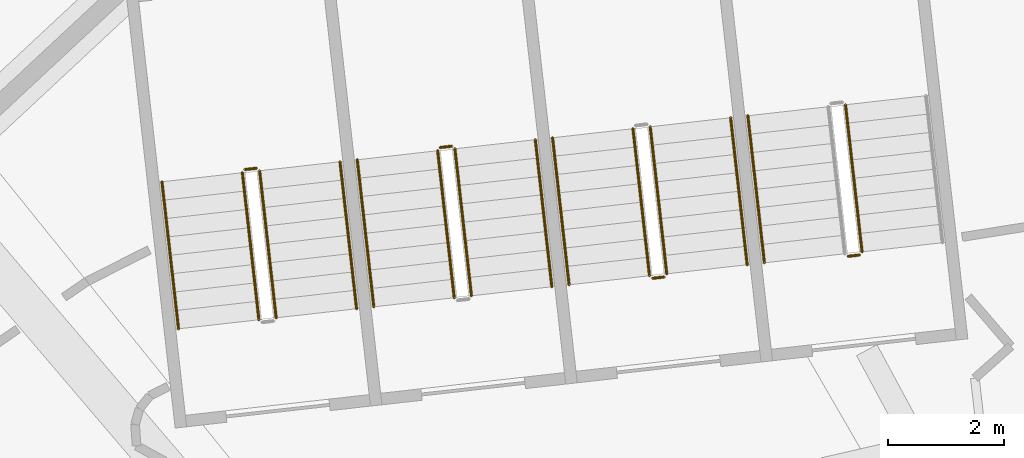
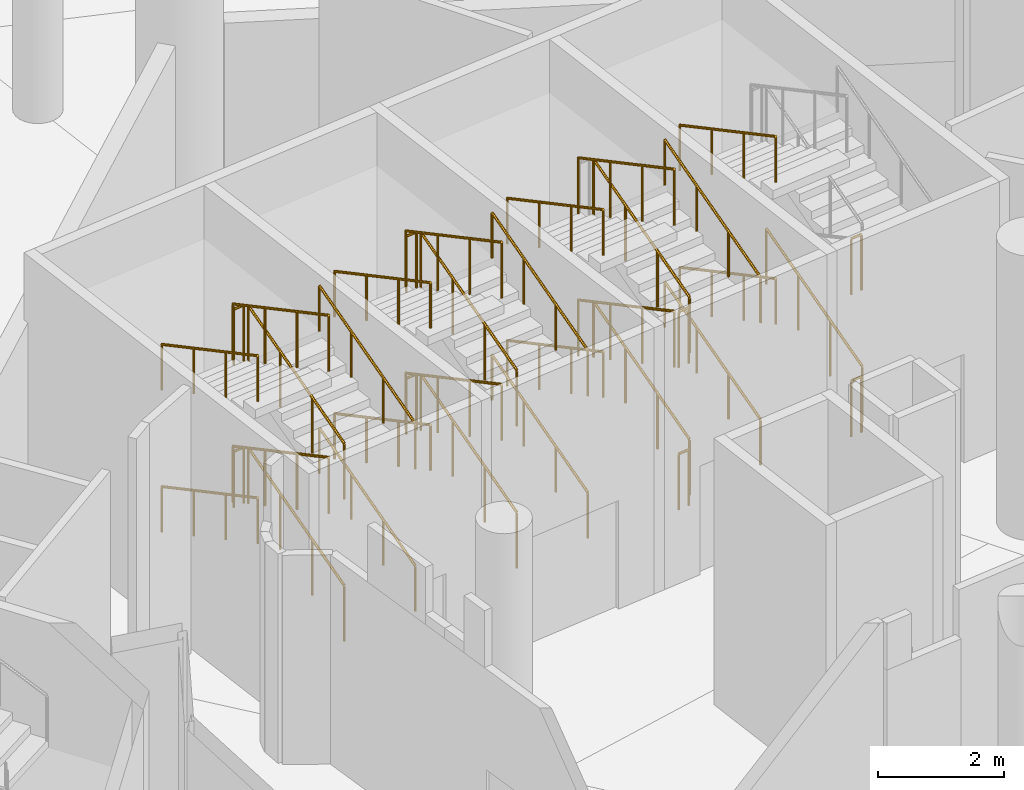
# One storey, part 257 of 271: 35 railings.
"""IFC4 building model written with IfcOpenShell, lengths in metres."""

from ifc_helpers import new_model, si_unit, direction, frame, origin, origin_2d, place, context, subcontext, project, spatial, circle, extrude, material, type_object, element, save


model = new_model("IFC4")

# Units and contexts
model_context = context("Model", 3, precision=1e-05, world=origin(), true_north=direction((0.0, 1.0)))
body_context = subcontext(model_context, "Body", "Model", "MODEL_VIEW")
ifc_project = project(units=[si_unit("LENGTHUNIT", "METRE"), si_unit("AREAUNIT", "SQUARE_METRE"), si_unit("VOLUMEUNIT", "CUBIC_METRE"), si_unit("PLANEANGLEUNIT", "RADIAN"), si_unit("MASSUNIT", "GRAM", prefix="KILO")], contexts=[model_context])

# Site, building, storey
site_placement = place(None, origin())
site = spatial("IfcSite", under=ifc_project, at=site_placement, CompositionType="ELEMENT")
building_placement = place(site_placement, origin())
building = spatial("IfcBuilding", under=site, at=building_placement, Name="Meseta Stadium", CompositionType="ELEMENT")
storey_placement = place(building_placement, frame((0.0, 0.0, 6.5)))
storey = spatial("IfcBuildingStorey", under=building, at=storey_placement, Name="L01", CompositionType="ELEMENT", Elevation=6.5)

# Railings
ifc_material_1 = material(Name="Steel S355", Category="steel")
railing_type_1 = type_object("IfcRailingType", Name="Stair guard 1100", PredefinedType="GUARDRAIL", material=ifc_material_1)
railing_1_placement = place(storey_placement, frame((-45.742919921875, 94.609375, 0.15283203125)))
element("IfcRailing", 1, at=railing_1_placement, inside=storey, type_object=railing_type_1, Name="ST45 L01 guard 1", PredefinedType="GUARDRAIL", context=body_context, shape_type="SweptSolid", body=[
    extrude(circle(Radius=0.02392578125, at=origin_2d()), frame((0.0, 0.0, 1.076171875), z_axis=(-0.101129313555, 0.896737291859, 0.430853909497), x_axis=(-0.993700950062, -0.112064364749, 0.0)), (0.0, 0.0, 1.0), 2.836669921875),
    extrude(circle(Radius=0.02099609375, at=origin_2d()), origin(), (0.0, 0.0, 1.0), 1.052001953125),
    extrude(circle(Radius=0.02099609375, at=origin_2d()), frame((-0.095703125, 0.847900390625, 0.407470703125)), (0.0, 0.0, 1.0), 1.052001953125),
    extrude(circle(Radius=0.02099609375, at=origin_2d()), frame((-0.191162109375, 1.69580078125, 0.814697265625)), (0.0, 0.0, 1.0), 1.052001953125),
    extrude(circle(Radius=0.02099609375, at=origin_2d()), frame((-0.286865234375, 2.543701171875, 1.22216796875)), (0.0, 0.0, 1.0), 1.052001953125),
])
for number, where, name in (
    (2, (-45.787109375, 94.553955078125, 2.75), "ST45 L01 guard 4"),
    (3, (-45.787109375, 94.553955078125, 0.0), "ST45 L01 guard 8"),
):
    element("IfcRailing", number, at=place(storey_placement, frame(where)), inside=storey, type_object=railing_type_1, Name=name, PredefinedType="GUARDRAIL", context=body_context, shape_type="SweptSolid", body=[
        extrude(circle(Radius=0.02392578125, at=origin_2d()), frame((0.0, 0.0, 1.076171875), z_axis=(-0.993673547442, -0.112307083986, 0.0), x_axis=(0.112307083986, -0.993673547442, 0.0)), (0.0, 0.0, 1.0), 0.199951171875),
        extrude(circle(Radius=0.02099609375, at=origin_2d()), origin(), (0.0, 0.0, 1.0), 1.052001953125),
        extrude(circle(Radius=0.02099609375, at=origin_2d()), frame((-0.19873046875, -0.0224609375, 0.0)), (0.0, 0.0, 1.0), 1.052001953125),
    ])
railing_2_placement = place(storey_placement, frame((-49.12158203125, 94.228515625, 0.15283203125)))
element("IfcRailing", 4, at=railing_2_placement, inside=storey, type_object=railing_type_1, Name="ST46 L01 guard 1", PredefinedType="GUARDRAIL", context=body_context, shape_type="SweptSolid", body=[
    extrude(circle(Radius=0.02392578125, at=origin_2d()), frame((0.0, 0.0, 1.076171875), z_axis=(-0.101036326981, 0.896761948158, 0.430824406188), x_axis=(-0.993712761983, -0.111959576062, 0.0)), (0.0, 0.0, 1.0), 2.8369140625),
    extrude(circle(Radius=0.02099609375, at=origin_2d()), origin(), (0.0, 0.0, 1.0), 1.052001953125),
    extrude(circle(Radius=0.02099609375, at=origin_2d()), frame((-0.095458984375, 0.847900390625, 0.407470703125)), (0.0, 0.0, 1.0), 1.052001953125),
    extrude(circle(Radius=0.02099609375, at=origin_2d()), frame((-0.191162109375, 1.696044921875, 0.814697265625)), (0.0, 0.0, 1.0), 1.052001953125),
    extrude(circle(Radius=0.02099609375, at=origin_2d()), frame((-0.28662109375, 2.5439453125, 1.22216796875)), (0.0, 0.0, 1.0), 1.052001953125),
])
railing_3_placement = place(storey_placement, frame((-49.706298828125, 96.739013671875, 1.52783203125)))
element("IfcRailing", 5, at=railing_3_placement, inside=storey, type_object=railing_type_1, Name="ST46 L01 guard 3", PredefinedType="GUARDRAIL", context=body_context, shape_type="SweptSolid", body=[
    extrude(circle(Radius=0.02392578125, at=origin_2d()), frame((0.0, 0.0, 1.076171875), z_axis=(0.101036326981, -0.896761948158, 0.430824406188), x_axis=(0.993712761983, 0.111959576062, 0.0)), (0.0, 0.0, 1.0), 2.8369140625),
    extrude(circle(Radius=0.02099609375, at=origin_2d()), origin(), (0.0, 0.0, 1.0), 1.052001953125),
    extrude(circle(Radius=0.02099609375, at=origin_2d()), frame((0.095458984375, -0.847900390625, 0.407470703125)), (0.0, 0.0, 1.0), 1.052001953125),
    extrude(circle(Radius=0.02099609375, at=origin_2d()), frame((0.191162109375, -1.696044921875, 0.814697265625)), (0.0, 0.0, 1.0), 1.052001953125),
    extrude(circle(Radius=0.02099609375, at=origin_2d()), frame((0.28662109375, -2.5439453125, 1.22216796875)), (0.0, 0.0, 1.0), 1.052001953125),
])
railing_4_placement = place(storey_placement, frame((-49.165771484375, 94.17333984375, 2.75)))
element("IfcRailing", 6, at=railing_4_placement, inside=storey, type_object=railing_type_1, Name="ST46 L01 guard 4", PredefinedType="GUARDRAIL", context=body_context, shape_type="SweptSolid", body=[
    extrude(circle(Radius=0.02392578125, at=origin_2d()), frame((0.0, 0.0, 1.076171875), z_axis=(-0.993673547442, -0.112307083986, 0.0), x_axis=(0.112307083986, -0.993673547442, 0.0)), (0.0, 0.0, 1.0), 0.199951171875),
    extrude(circle(Radius=0.02099609375, at=origin_2d()), origin(), (0.0, 0.0, 1.0), 1.052001953125),
    extrude(circle(Radius=0.02099609375, at=origin_2d()), frame((-0.19873046875, -0.0224609375, 0.0)), (0.0, 0.0, 1.0), 1.052001953125),
])
railing_5_placement = place(storey_placement, frame((-49.12158203125, 94.228515625, 2.90283203125)))
element("IfcRailing", 7, at=railing_5_placement, inside=storey, type_object=railing_type_1, Name="ST46 L01 guard 5", PredefinedType="GUARDRAIL", context=body_context, shape_type="SweptSolid", body=[
    extrude(circle(Radius=0.02392578125, at=origin_2d()), frame((0.0, 0.0, 1.076171875), z_axis=(-0.101036326981, 0.896761948158, 0.430824406188), x_axis=(-0.993712761983, -0.111959576062, 0.0)), (0.0, 0.0, 1.0), 2.8369140625),
    extrude(circle(Radius=0.02099609375, at=origin_2d()), origin(), (0.0, 0.0, 1.0), 1.052001953125),
    extrude(circle(Radius=0.02099609375, at=origin_2d()), frame((-0.095458984375, 0.847900390625, 0.407470703125)), (0.0, 0.0, 1.0), 1.052001953125),
    extrude(circle(Radius=0.02099609375, at=origin_2d()), frame((-0.191162109375, 1.696044921875, 0.814697265625)), (0.0, 0.0, 1.0), 1.052001953125),
    extrude(circle(Radius=0.02099609375, at=origin_2d()), frame((-0.28662109375, 2.5439453125, 1.22216796875)), (0.0, 0.0, 1.0), 1.052001953125),
])
railing_6_placement = place(storey_placement, frame((-49.706298828125, 96.739013671875, 4.27783203125)))
element("IfcRailing", 8, at=railing_6_placement, inside=storey, type_object=railing_type_1, Name="ST46 L01 guard 7", PredefinedType="GUARDRAIL", context=body_context, shape_type="SweptSolid", body=[
    extrude(circle(Radius=0.02392578125, at=origin_2d()), frame((0.0, 0.0, 1.076171875), z_axis=(0.101036326981, -0.896761948158, 0.430824406188), x_axis=(0.993712761983, 0.111959576062, 0.0)), (0.0, 0.0, 1.0), 2.8369140625),
    extrude(circle(Radius=0.02099609375, at=origin_2d()), origin(), (0.0, 0.0, 1.0), 1.052001953125),
    extrude(circle(Radius=0.02099609375, at=origin_2d()), frame((0.095458984375, -0.847900390625, 0.407470703125)), (0.0, 0.0, 1.0), 1.052001953125),
    extrude(circle(Radius=0.02099609375, at=origin_2d()), frame((0.191162109375, -1.696044921875, 0.814697265625)), (0.0, 0.0, 1.0), 1.052001953125),
    extrude(circle(Radius=0.02099609375, at=origin_2d()), frame((0.28662109375, -2.5439453125, 1.22216796875)), (0.0, 0.0, 1.0), 1.052001953125),
])
railing_7_placement = place(storey_placement, frame((-49.165771484375, 94.17333984375, 0.0)))
element("IfcRailing", 9, at=railing_7_placement, inside=storey, type_object=railing_type_1, Name="ST46 L01 guard 8", PredefinedType="GUARDRAIL", context=body_context, shape_type="SweptSolid", body=[
    extrude(circle(Radius=0.02392578125, at=origin_2d()), frame((0.0, 0.0, 1.076171875), z_axis=(-0.993673547442, -0.112307083986, 0.0), x_axis=(0.112307083986, -0.993673547442, 0.0)), (0.0, 0.0, 1.0), 0.199951171875),
    extrude(circle(Radius=0.02099609375, at=origin_2d()), origin(), (0.0, 0.0, 1.0), 1.052001953125),
    extrude(circle(Radius=0.02099609375, at=origin_2d()), frame((-0.19873046875, -0.0224609375, 0.0)), (0.0, 0.0, 1.0), 1.052001953125),
])
railing_8_placement = place(storey_placement, frame((-52.500244140625, 93.847900390625, 0.15283203125)))
element("IfcRailing", 10, at=railing_8_placement, inside=storey, type_object=railing_type_1, Name="ST47 L01 guard 1", PredefinedType="GUARDRAIL", context=body_context, shape_type="SweptSolid", body=[
    extrude(circle(Radius=0.02392578125, at=origin_2d()), frame((0.0, 0.0, 1.076171875), z_axis=(-0.101036326981, 0.896761948158, 0.430824406188), x_axis=(-0.993712761983, -0.111959576062, 0.0)), (0.0, 0.0, 1.0), 2.8369140625),
    extrude(circle(Radius=0.02099609375, at=origin_2d()), origin(), (0.0, 0.0, 1.0), 1.052001953125),
    extrude(circle(Radius=0.02099609375, at=origin_2d()), frame((-0.095458984375, 0.847900390625, 0.407470703125)), (0.0, 0.0, 1.0), 1.052001953125),
    extrude(circle(Radius=0.02099609375, at=origin_2d()), frame((-0.191162109375, 1.696044921875, 0.814697265625)), (0.0, 0.0, 1.0), 1.052001953125),
    extrude(circle(Radius=0.02099609375, at=origin_2d()), frame((-0.28662109375, 2.5439453125, 1.22216796875)), (0.0, 0.0, 1.0), 1.052001953125),
])
railing_9_placement = place(storey_placement, frame((-52.84228515625, 96.435791015625, 1.375)))
element("IfcRailing", 11, at=railing_9_placement, inside=storey, type_object=railing_type_1, Name="ST47 L01 guard 2", PredefinedType="GUARDRAIL", context=body_context, shape_type="SweptSolid", body=[
    extrude(circle(Radius=0.02392578125, at=origin_2d()), frame((0.0, 0.0, 1.076171875), z_axis=(-0.993809063983, -0.111101504696, 0.0), x_axis=(0.111101504696, -0.993809063983, 0.0)), (0.0, 0.0, 1.0), 0.199951171875),
    extrude(circle(Radius=0.02099609375, at=origin_2d()), origin(), (0.0, 0.0, 1.0), 1.052001953125),
    extrude(circle(Radius=0.02099609375, at=origin_2d()), frame((-0.19873046875, -0.022216796875, 0.0)), (0.0, 0.0, 1.0), 1.052001953125),
])
railing_10_placement = place(storey_placement, frame((-53.0849609375, 96.358154296875, 1.52783203125)))
element("IfcRailing", 12, at=railing_10_placement, inside=storey, type_object=railing_type_1, Name="ST47 L01 guard 3", PredefinedType="GUARDRAIL", context=body_context, shape_type="SweptSolid", body=[
    extrude(circle(Radius=0.02392578125, at=origin_2d()), frame((0.0, 0.0, 1.076171875), z_axis=(0.101036326981, -0.896761948158, 0.430824406188), x_axis=(0.993712761983, 0.111959576062, 0.0)), (0.0, 0.0, 1.0), 2.8369140625),
    extrude(circle(Radius=0.02099609375, at=origin_2d()), origin(), (0.0, 0.0, 1.0), 1.052001953125),
    extrude(circle(Radius=0.02099609375, at=origin_2d()), frame((0.095458984375, -0.847900390625, 0.407470703125)), (0.0, 0.0, 1.0), 1.052001953125),
    extrude(circle(Radius=0.02099609375, at=origin_2d()), frame((0.191162109375, -1.696044921875, 0.814697265625)), (0.0, 0.0, 1.0), 1.052001953125),
    extrude(circle(Radius=0.02099609375, at=origin_2d()), frame((0.28662109375, -2.5439453125, 1.22216796875)), (0.0, 0.0, 1.0), 1.052001953125),
])
railing_11_placement = place(storey_placement, frame((-52.500244140625, 93.847900390625, 2.90283203125)))
element("IfcRailing", 13, at=railing_11_placement, inside=storey, type_object=railing_type_1, Name="ST47 L01 guard 5", PredefinedType="GUARDRAIL", context=body_context, shape_type="SweptSolid", body=[
    extrude(circle(Radius=0.02392578125, at=origin_2d()), frame((0.0, 0.0, 1.076171875), z_axis=(-0.101036326981, 0.896761948158, 0.430824406188), x_axis=(-0.993712761983, -0.111959576062, 0.0)), (0.0, 0.0, 1.0), 2.8369140625),
    extrude(circle(Radius=0.02099609375, at=origin_2d()), origin(), (0.0, 0.0, 1.0), 1.052001953125),
    extrude(circle(Radius=0.02099609375, at=origin_2d()), frame((-0.095458984375, 0.847900390625, 0.407470703125)), (0.0, 0.0, 1.0), 1.052001953125),
    extrude(circle(Radius=0.02099609375, at=origin_2d()), frame((-0.191162109375, 1.696044921875, 0.814697265625)), (0.0, 0.0, 1.0), 1.052001953125),
    extrude(circle(Radius=0.02099609375, at=origin_2d()), frame((-0.28662109375, 2.5439453125, 1.22216796875)), (0.0, 0.0, 1.0), 1.052001953125),
])
railing_12_placement = place(storey_placement, frame((-52.84228515625, 96.435791015625, 4.125)))
element("IfcRailing", 14, at=railing_12_placement, inside=storey, type_object=railing_type_1, Name="ST47 L01 guard 6", PredefinedType="GUARDRAIL", context=body_context, shape_type="SweptSolid", body=[
    extrude(circle(Radius=0.02392578125, at=origin_2d()), frame((0.0, 0.0, 1.076171875), z_axis=(-0.993809063983, -0.111101504696, 0.0), x_axis=(0.111101504696, -0.993809063983, 0.0)), (0.0, 0.0, 1.0), 0.199951171875),
    extrude(circle(Radius=0.02099609375, at=origin_2d()), origin(), (0.0, 0.0, 1.0), 1.052001953125),
    extrude(circle(Radius=0.02099609375, at=origin_2d()), frame((-0.19873046875, -0.022216796875, 0.0)), (0.0, 0.0, 1.0), 1.052001953125),
])
railing_13_placement = place(storey_placement, frame((-53.0849609375, 96.358154296875, 4.27783203125)))
element("IfcRailing", 15, at=railing_13_placement, inside=storey, type_object=railing_type_1, Name="ST47 L01 guard 7", PredefinedType="GUARDRAIL", context=body_context, shape_type="SweptSolid", body=[
    extrude(circle(Radius=0.02392578125, at=origin_2d()), frame((0.0, 0.0, 1.076171875), z_axis=(0.101036326981, -0.896761948158, 0.430824406188), x_axis=(0.993712761983, 0.111959576062, 0.0)), (0.0, 0.0, 1.0), 2.8369140625),
    extrude(circle(Radius=0.02099609375, at=origin_2d()), origin(), (0.0, 0.0, 1.0), 1.052001953125),
    extrude(circle(Radius=0.02099609375, at=origin_2d()), frame((0.095458984375, -0.847900390625, 0.407470703125)), (0.0, 0.0, 1.0), 1.052001953125),
    extrude(circle(Radius=0.02099609375, at=origin_2d()), frame((0.191162109375, -1.696044921875, 0.814697265625)), (0.0, 0.0, 1.0), 1.052001953125),
    extrude(circle(Radius=0.02099609375, at=origin_2d()), frame((0.28662109375, -2.5439453125, 1.22216796875)), (0.0, 0.0, 1.0), 1.052001953125),
])
railing_14_placement = place(storey_placement, frame((-55.87890625, 93.46728515625, 0.15283203125)))
element("IfcRailing", 16, at=railing_14_placement, inside=storey, type_object=railing_type_1, Name="ST48 L01 guard 1", PredefinedType="GUARDRAIL", context=body_context, shape_type="SweptSolid", body=[
    extrude(circle(Radius=0.02392578125, at=origin_2d()), frame((0.0, 0.0, 1.076171875), z_axis=(-0.101036326981, 0.896761948158, 0.430824406188), x_axis=(-0.993712761983, -0.111959576062, 0.0)), (0.0, 0.0, 1.0), 2.8369140625),
    extrude(circle(Radius=0.02099609375, at=origin_2d()), origin(), (0.0, 0.0, 1.0), 1.052001953125),
    extrude(circle(Radius=0.02099609375, at=origin_2d()), frame((-0.095458984375, 0.847900390625, 0.407470703125)), (0.0, 0.0, 1.0), 1.052001953125),
    extrude(circle(Radius=0.02099609375, at=origin_2d()), frame((-0.191162109375, 1.696044921875, 0.814697265625)), (0.0, 0.0, 1.0), 1.052001953125),
    extrude(circle(Radius=0.02099609375, at=origin_2d()), frame((-0.28662109375, 2.5439453125, 1.22216796875)), (0.0, 0.0, 1.0), 1.052001953125),
])
railing_15_placement = place(storey_placement, frame((-56.220703125, 96.05517578125, 1.375)))
element("IfcRailing", 17, at=railing_15_placement, inside=storey, type_object=railing_type_1, Name="ST48 L01 guard 2", PredefinedType="GUARDRAIL", context=body_context, shape_type="SweptSolid", body=[
    extrude(circle(Radius=0.02392578125, at=origin_2d()), frame((0.0, 0.0, 1.076171875), z_axis=(-0.993688916384, -0.112171018782, 0.0), x_axis=(0.112171018782, -0.993688916384, 0.0)), (0.0, 0.0, 1.0), 0.2001953125),
    extrude(circle(Radius=0.02099609375, at=origin_2d()), origin(), (0.0, 0.0, 1.0), 1.052001953125),
    extrude(circle(Radius=0.02099609375, at=origin_2d()), frame((-0.198974609375, -0.0224609375, 0.0)), (0.0, 0.0, 1.0), 1.052001953125),
])
railing_16_placement = place(storey_placement, frame((-56.463623046875, 95.9775390625, 1.52783203125)))
element("IfcRailing", 18, at=railing_16_placement, inside=storey, type_object=railing_type_1, Name="ST48 L01 guard 3", PredefinedType="GUARDRAIL", context=body_context, shape_type="SweptSolid", body=[
    extrude(circle(Radius=0.02392578125, at=origin_2d()), frame((0.0, 0.0, 1.076171875), z_axis=(0.101036326981, -0.896761948158, 0.430824406188), x_axis=(0.993712761983, 0.111959576062, 0.0)), (0.0, 0.0, 1.0), 2.8369140625),
    extrude(circle(Radius=0.02099609375, at=origin_2d()), origin(), (0.0, 0.0, 1.0), 1.052001953125),
    extrude(circle(Radius=0.02099609375, at=origin_2d()), frame((0.095458984375, -0.847900390625, 0.407470703125)), (0.0, 0.0, 1.0), 1.052001953125),
    extrude(circle(Radius=0.02099609375, at=origin_2d()), frame((0.191162109375, -1.696044921875, 0.814697265625)), (0.0, 0.0, 1.0), 1.052001953125),
    extrude(circle(Radius=0.02099609375, at=origin_2d()), frame((0.28662109375, -2.5439453125, 1.22216796875)), (0.0, 0.0, 1.0), 1.052001953125),
])
railing_17_placement = place(storey_placement, frame((-55.87890625, 93.46728515625, 2.90283203125)))
element("IfcRailing", 19, at=railing_17_placement, inside=storey, type_object=railing_type_1, Name="ST48 L01 guard 5", PredefinedType="GUARDRAIL", context=body_context, shape_type="SweptSolid", body=[
    extrude(circle(Radius=0.02392578125, at=origin_2d()), frame((0.0, 0.0, 1.076171875), z_axis=(-0.101036326981, 0.896761948158, 0.430824406188), x_axis=(-0.993712761983, -0.111959576062, 0.0)), (0.0, 0.0, 1.0), 2.8369140625),
    extrude(circle(Radius=0.02099609375, at=origin_2d()), origin(), (0.0, 0.0, 1.0), 1.052001953125),
    extrude(circle(Radius=0.02099609375, at=origin_2d()), frame((-0.095458984375, 0.847900390625, 0.407470703125)), (0.0, 0.0, 1.0), 1.052001953125),
    extrude(circle(Radius=0.02099609375, at=origin_2d()), frame((-0.191162109375, 1.696044921875, 0.814697265625)), (0.0, 0.0, 1.0), 1.052001953125),
    extrude(circle(Radius=0.02099609375, at=origin_2d()), frame((-0.28662109375, 2.5439453125, 1.22216796875)), (0.0, 0.0, 1.0), 1.052001953125),
])
railing_18_placement = place(storey_placement, frame((-56.220703125, 96.05517578125, 4.125)))
element("IfcRailing", 20, at=railing_18_placement, inside=storey, type_object=railing_type_1, Name="ST48 L01 guard 6", PredefinedType="GUARDRAIL", context=body_context, shape_type="SweptSolid", body=[
    extrude(circle(Radius=0.02392578125, at=origin_2d()), frame((0.0, 0.0, 1.076171875), z_axis=(-0.993688916384, -0.112171018782, 0.0), x_axis=(0.112171018782, -0.993688916384, 0.0)), (0.0, 0.0, 1.0), 0.2001953125),
    extrude(circle(Radius=0.02099609375, at=origin_2d()), origin(), (0.0, 0.0, 1.0), 1.052001953125),
    extrude(circle(Radius=0.02099609375, at=origin_2d()), frame((-0.198974609375, -0.0224609375, 0.0)), (0.0, 0.0, 1.0), 1.052001953125),
])
railing_19_placement = place(storey_placement, frame((-56.463623046875, 95.9775390625, 4.27783203125)))
element("IfcRailing", 21, at=railing_19_placement, inside=storey, type_object=railing_type_1, Name="ST48 L01 guard 7", PredefinedType="GUARDRAIL", context=body_context, shape_type="SweptSolid", body=[
    extrude(circle(Radius=0.02392578125, at=origin_2d()), frame((0.0, 0.0, 1.076171875), z_axis=(0.101036326981, -0.896761948158, 0.430824406188), x_axis=(0.993712761983, 0.111959576062, 0.0)), (0.0, 0.0, 1.0), 2.8369140625),
    extrude(circle(Radius=0.02099609375, at=origin_2d()), origin(), (0.0, 0.0, 1.0), 1.052001953125),
    extrude(circle(Radius=0.02099609375, at=origin_2d()), frame((0.095458984375, -0.847900390625, 0.407470703125)), (0.0, 0.0, 1.0), 1.052001953125),
    extrude(circle(Radius=0.02099609375, at=origin_2d()), frame((0.191162109375, -1.696044921875, 0.814697265625)), (0.0, 0.0, 1.0), 1.052001953125),
    extrude(circle(Radius=0.02099609375, at=origin_2d()), frame((0.28662109375, -2.5439453125, 1.22216796875)), (0.0, 0.0, 1.0), 1.052001953125),
])
ifc_material_2 = material(Name="Steel S355", Category="steel")
railing_type_2 = type_object("IfcRailingType", Name="Stair handrail 900", PredefinedType="HANDRAIL", material=ifc_material_2)
for number, where, name in (
    (22, (-47.718994140625, 96.962890625, 1.52783203125), "ST45 L01 handrail 2"),
    (23, (-47.718994140625, 96.962890625, 4.27783203125), "ST45 L01 handrail 4"),
):
    element("IfcRailing", number, at=place(storey_placement, frame(where)), inside=storey, type_object=railing_type_2, Name=name, PredefinedType="HANDRAIL", context=body_context, shape_type="SweptSolid", body=[
        extrude(circle(Radius=0.02392578125, at=origin_2d()), frame((0.0, 0.0, 0.8759765625), z_axis=(0.101036326981, -0.896761948158, 0.430824406188), x_axis=(0.993712761983, 0.111959576062, 0.0)), (0.0, 0.0, 1.0), 2.8369140625),
        extrude(circle(Radius=0.02099609375, at=origin_2d()), origin(), (0.0, 0.0, 1.0), 0.851806640625),
        extrude(circle(Radius=0.02099609375, at=origin_2d()), frame((0.095458984375, -0.847900390625, 0.407470703125)), (0.0, 0.0, 1.0), 0.851806640625),
        extrude(circle(Radius=0.02099609375, at=origin_2d()), frame((0.191162109375, -1.696044921875, 0.814697265625)), (0.0, 0.0, 1.0), 0.851806640625),
        extrude(circle(Radius=0.02099609375, at=origin_2d()), frame((0.28662109375, -2.5439453125, 1.22216796875)), (0.0, 0.0, 1.0), 0.851806640625),
    ])
railing_20_placement = place(storey_placement, frame((-47.73046875, 94.38525390625, 0.15283203125)))
element("IfcRailing", 24, at=railing_20_placement, inside=storey, type_object=railing_type_2, Name="ST46 L01 handrail 1", PredefinedType="HANDRAIL", context=body_context, shape_type="SweptSolid", body=[
    extrude(circle(Radius=0.02392578125, at=origin_2d()), frame((0.0, 0.0, 0.8759765625), z_axis=(-0.101036326981, 0.896761948158, 0.430824406188), x_axis=(-0.993712761983, -0.111959576062, 0.0)), (0.0, 0.0, 1.0), 2.8369140625),
    extrude(circle(Radius=0.02099609375, at=origin_2d()), origin(), (0.0, 0.0, 1.0), 0.851806640625),
    extrude(circle(Radius=0.02099609375, at=origin_2d()), frame((-0.095458984375, 0.847900390625, 0.407470703125)), (0.0, 0.0, 1.0), 0.851806640625),
    extrude(circle(Radius=0.02099609375, at=origin_2d()), frame((-0.191162109375, 1.696044921875, 0.814697265625)), (0.0, 0.0, 1.0), 0.851806640625),
    extrude(circle(Radius=0.02099609375, at=origin_2d()), frame((-0.28662109375, 2.5439453125, 1.22216796875)), (0.0, 0.0, 1.0), 0.851806640625),
])
railing_21_placement = place(storey_placement, frame((-51.09765625, 96.58203125, 1.52783203125)))
element("IfcRailing", 25, at=railing_21_placement, inside=storey, type_object=railing_type_2, Name="ST46 L01 handrail 2", PredefinedType="HANDRAIL", context=body_context, shape_type="SweptSolid", body=[
    extrude(circle(Radius=0.02392578125, at=origin_2d()), frame((0.0, 0.0, 0.8759765625), z_axis=(0.101044125167, -0.896745093794, 0.43085765808), x_axis=(0.993711566407, 0.111970187058, 0.0)), (0.0, 0.0, 1.0), 2.836669921875),
    extrude(circle(Radius=0.02099609375, at=origin_2d()), origin(), (0.0, 0.0, 1.0), 0.851806640625),
    extrude(circle(Radius=0.02099609375, at=origin_2d()), frame((0.095458984375, -0.847900390625, 0.407470703125)), (0.0, 0.0, 1.0), 0.851806640625),
    extrude(circle(Radius=0.02099609375, at=origin_2d()), frame((0.191162109375, -1.69580078125, 0.814697265625)), (0.0, 0.0, 1.0), 0.851806640625),
    extrude(circle(Radius=0.02099609375, at=origin_2d()), frame((0.28662109375, -2.543701171875, 1.22216796875)), (0.0, 0.0, 1.0), 0.851806640625),
])
railing_22_placement = place(storey_placement, frame((-47.73046875, 94.38525390625, 2.90283203125)))
element("IfcRailing", 26, at=railing_22_placement, inside=storey, type_object=railing_type_2, Name="ST46 L01 handrail 3", PredefinedType="HANDRAIL", context=body_context, shape_type="SweptSolid", body=[
    extrude(circle(Radius=0.02392578125, at=origin_2d()), frame((0.0, 0.0, 0.8759765625), z_axis=(-0.101036326981, 0.896761948158, 0.430824406188), x_axis=(-0.993712761983, -0.111959576062, 0.0)), (0.0, 0.0, 1.0), 2.8369140625),
    extrude(circle(Radius=0.02099609375, at=origin_2d()), origin(), (0.0, 0.0, 1.0), 0.851806640625),
    extrude(circle(Radius=0.02099609375, at=origin_2d()), frame((-0.095458984375, 0.847900390625, 0.407470703125)), (0.0, 0.0, 1.0), 0.851806640625),
    extrude(circle(Radius=0.02099609375, at=origin_2d()), frame((-0.191162109375, 1.696044921875, 0.814697265625)), (0.0, 0.0, 1.0), 0.851806640625),
    extrude(circle(Radius=0.02099609375, at=origin_2d()), frame((-0.28662109375, 2.5439453125, 1.22216796875)), (0.0, 0.0, 1.0), 0.851806640625),
])
railing_23_placement = place(storey_placement, frame((-51.09765625, 96.58203125, 4.27783203125)))
element("IfcRailing", 27, at=railing_23_placement, inside=storey, type_object=railing_type_2, Name="ST46 L01 handrail 4", PredefinedType="HANDRAIL", context=body_context, shape_type="SweptSolid", body=[
    extrude(circle(Radius=0.02392578125, at=origin_2d()), frame((0.0, 0.0, 0.8759765625), z_axis=(0.101044125167, -0.896745093794, 0.43085765808), x_axis=(0.993711566407, 0.111970187058, 0.0)), (0.0, 0.0, 1.0), 2.836669921875),
    extrude(circle(Radius=0.02099609375, at=origin_2d()), origin(), (0.0, 0.0, 1.0), 0.851806640625),
    extrude(circle(Radius=0.02099609375, at=origin_2d()), frame((0.095458984375, -0.847900390625, 0.407470703125)), (0.0, 0.0, 1.0), 0.851806640625),
    extrude(circle(Radius=0.02099609375, at=origin_2d()), frame((0.191162109375, -1.69580078125, 0.814697265625)), (0.0, 0.0, 1.0), 0.851806640625),
    extrude(circle(Radius=0.02099609375, at=origin_2d()), frame((0.28662109375, -2.543701171875, 1.22216796875)), (0.0, 0.0, 1.0), 0.851806640625),
])
railing_24_placement = place(storey_placement, frame((-51.109130859375, 94.004638671875, 0.15283203125)))
element("IfcRailing", 28, at=railing_24_placement, inside=storey, type_object=railing_type_2, Name="ST47 L01 handrail 1", PredefinedType="HANDRAIL", context=body_context, shape_type="SweptSolid", body=[
    extrude(circle(Radius=0.02392578125, at=origin_2d()), frame((0.0, 0.0, 0.8759765625), z_axis=(-0.101036326981, 0.896761948158, 0.430824406188), x_axis=(-0.993712761983, -0.111959576062, 0.0)), (0.0, 0.0, 1.0), 2.8369140625),
    extrude(circle(Radius=0.02099609375, at=origin_2d()), origin(), (0.0, 0.0, 1.0), 0.851806640625),
    extrude(circle(Radius=0.02099609375, at=origin_2d()), frame((-0.095458984375, 0.847900390625, 0.407470703125)), (0.0, 0.0, 1.0), 0.851806640625),
    extrude(circle(Radius=0.02099609375, at=origin_2d()), frame((-0.191162109375, 1.696044921875, 0.814697265625)), (0.0, 0.0, 1.0), 0.851806640625),
    extrude(circle(Radius=0.02099609375, at=origin_2d()), frame((-0.28662109375, 2.5439453125, 1.22216796875)), (0.0, 0.0, 1.0), 0.851806640625),
])
railing_25_placement = place(storey_placement, frame((-54.476318359375, 96.201416015625, 1.52783203125)))
element("IfcRailing", 29, at=railing_25_placement, inside=storey, type_object=railing_type_2, Name="ST47 L01 handrail 2", PredefinedType="HANDRAIL", context=body_context, shape_type="SweptSolid", body=[
    extrude(circle(Radius=0.02392578125, at=origin_2d()), frame((0.0, 0.0, 0.8759765625), z_axis=(0.101036326981, -0.896761948158, 0.430824406188), x_axis=(0.993712761983, 0.111959576062, 0.0)), (0.0, 0.0, 1.0), 2.8369140625),
    extrude(circle(Radius=0.02099609375, at=origin_2d()), origin(), (0.0, 0.0, 1.0), 0.851806640625),
    extrude(circle(Radius=0.02099609375, at=origin_2d()), frame((0.095458984375, -0.847900390625, 0.407470703125)), (0.0, 0.0, 1.0), 0.851806640625),
    extrude(circle(Radius=0.02099609375, at=origin_2d()), frame((0.191162109375, -1.696044921875, 0.814697265625)), (0.0, 0.0, 1.0), 0.851806640625),
    extrude(circle(Radius=0.02099609375, at=origin_2d()), frame((0.28662109375, -2.5439453125, 1.22216796875)), (0.0, 0.0, 1.0), 0.851806640625),
])
railing_26_placement = place(storey_placement, frame((-51.109130859375, 94.004638671875, 2.90283203125)))
element("IfcRailing", 30, at=railing_26_placement, inside=storey, type_object=railing_type_2, Name="ST47 L01 handrail 3", PredefinedType="HANDRAIL", context=body_context, shape_type="SweptSolid", body=[
    extrude(circle(Radius=0.02392578125, at=origin_2d()), frame((0.0, 0.0, 0.8759765625), z_axis=(-0.101036326981, 0.896761948158, 0.430824406188), x_axis=(-0.993712761983, -0.111959576062, 0.0)), (0.0, 0.0, 1.0), 2.8369140625),
    extrude(circle(Radius=0.02099609375, at=origin_2d()), origin(), (0.0, 0.0, 1.0), 0.851806640625),
    extrude(circle(Radius=0.02099609375, at=origin_2d()), frame((-0.095458984375, 0.847900390625, 0.407470703125)), (0.0, 0.0, 1.0), 0.851806640625),
    extrude(circle(Radius=0.02099609375, at=origin_2d()), frame((-0.191162109375, 1.696044921875, 0.814697265625)), (0.0, 0.0, 1.0), 0.851806640625),
    extrude(circle(Radius=0.02099609375, at=origin_2d()), frame((-0.28662109375, 2.5439453125, 1.22216796875)), (0.0, 0.0, 1.0), 0.851806640625),
])
railing_27_placement = place(storey_placement, frame((-54.476318359375, 96.201416015625, 4.27783203125)))
element("IfcRailing", 31, at=railing_27_placement, inside=storey, type_object=railing_type_2, Name="ST47 L01 handrail 4", PredefinedType="HANDRAIL", context=body_context, shape_type="SweptSolid", body=[
    extrude(circle(Radius=0.02392578125, at=origin_2d()), frame((0.0, 0.0, 0.8759765625), z_axis=(0.101036326981, -0.896761948158, 0.430824406188), x_axis=(0.993712761983, 0.111959576062, 0.0)), (0.0, 0.0, 1.0), 2.8369140625),
    extrude(circle(Radius=0.02099609375, at=origin_2d()), origin(), (0.0, 0.0, 1.0), 0.851806640625),
    extrude(circle(Radius=0.02099609375, at=origin_2d()), frame((0.095458984375, -0.847900390625, 0.407470703125)), (0.0, 0.0, 1.0), 0.851806640625),
    extrude(circle(Radius=0.02099609375, at=origin_2d()), frame((0.191162109375, -1.696044921875, 0.814697265625)), (0.0, 0.0, 1.0), 0.851806640625),
    extrude(circle(Radius=0.02099609375, at=origin_2d()), frame((0.28662109375, -2.5439453125, 1.22216796875)), (0.0, 0.0, 1.0), 0.851806640625),
])
railing_28_placement = place(storey_placement, frame((-54.48779296875, 93.6240234375, 0.15283203125)))
element("IfcRailing", 32, at=railing_28_placement, inside=storey, type_object=railing_type_2, Name="ST48 L01 handrail 1", PredefinedType="HANDRAIL", context=body_context, shape_type="SweptSolid", body=[
    extrude(circle(Radius=0.02392578125, at=origin_2d()), frame((0.0, 0.0, 0.8759765625), z_axis=(-0.101036326981, 0.896761948158, 0.430824406188), x_axis=(-0.993712761983, -0.111959576062, 0.0)), (0.0, 0.0, 1.0), 2.8369140625),
    extrude(circle(Radius=0.02099609375, at=origin_2d()), origin(), (0.0, 0.0, 1.0), 0.851806640625),
    extrude(circle(Radius=0.02099609375, at=origin_2d()), frame((-0.095458984375, 0.847900390625, 0.407470703125)), (0.0, 0.0, 1.0), 0.851806640625),
    extrude(circle(Radius=0.02099609375, at=origin_2d()), frame((-0.191162109375, 1.696044921875, 0.814697265625)), (0.0, 0.0, 1.0), 0.851806640625),
    extrude(circle(Radius=0.02099609375, at=origin_2d()), frame((-0.28662109375, 2.5439453125, 1.22216796875)), (0.0, 0.0, 1.0), 0.851806640625),
])
railing_29_placement = place(storey_placement, frame((-57.854736328125, 95.82080078125, 1.52783203125)))
element("IfcRailing", 33, at=railing_29_placement, inside=storey, type_object=railing_type_2, Name="ST48 L01 handrail 2", PredefinedType="HANDRAIL", context=body_context, shape_type="SweptSolid", body=[
    extrude(circle(Radius=0.02392578125, at=origin_2d()), frame((0.0, 0.0, 0.8759765625), z_axis=(0.101036326981, -0.896761948158, 0.430824406188), x_axis=(0.993712761983, 0.111959576062, 0.0)), (0.0, 0.0, 1.0), 2.8369140625),
    extrude(circle(Radius=0.02099609375, at=origin_2d()), origin(), (0.0, 0.0, 1.0), 0.851806640625),
    extrude(circle(Radius=0.02099609375, at=origin_2d()), frame((0.095458984375, -0.847900390625, 0.407470703125)), (0.0, 0.0, 1.0), 0.851806640625),
    extrude(circle(Radius=0.02099609375, at=origin_2d()), frame((0.191162109375, -1.696044921875, 0.814697265625)), (0.0, 0.0, 1.0), 0.851806640625),
    extrude(circle(Radius=0.02099609375, at=origin_2d()), frame((0.28662109375, -2.5439453125, 1.22216796875)), (0.0, 0.0, 1.0), 0.851806640625),
])
railing_30_placement = place(storey_placement, frame((-54.48779296875, 93.6240234375, 2.90283203125)))
element("IfcRailing", 34, at=railing_30_placement, inside=storey, type_object=railing_type_2, Name="ST48 L01 handrail 3", PredefinedType="HANDRAIL", context=body_context, shape_type="SweptSolid", body=[
    extrude(circle(Radius=0.02392578125, at=origin_2d()), frame((0.0, 0.0, 0.8759765625), z_axis=(-0.101036326981, 0.896761948158, 0.430824406188), x_axis=(-0.993712761983, -0.111959576062, 0.0)), (0.0, 0.0, 1.0), 2.8369140625),
    extrude(circle(Radius=0.02099609375, at=origin_2d()), origin(), (0.0, 0.0, 1.0), 0.851806640625),
    extrude(circle(Radius=0.02099609375, at=origin_2d()), frame((-0.095458984375, 0.847900390625, 0.407470703125)), (0.0, 0.0, 1.0), 0.851806640625),
    extrude(circle(Radius=0.02099609375, at=origin_2d()), frame((-0.191162109375, 1.696044921875, 0.814697265625)), (0.0, 0.0, 1.0), 0.851806640625),
    extrude(circle(Radius=0.02099609375, at=origin_2d()), frame((-0.28662109375, 2.5439453125, 1.22216796875)), (0.0, 0.0, 1.0), 0.851806640625),
])
railing_31_placement = place(storey_placement, frame((-57.854736328125, 95.82080078125, 4.27783203125)))
element("IfcRailing", 35, at=railing_31_placement, inside=storey, type_object=railing_type_2, Name="ST48 L01 handrail 4", PredefinedType="HANDRAIL", context=body_context, shape_type="SweptSolid", body=[
    extrude(circle(Radius=0.02392578125, at=origin_2d()), frame((0.0, 0.0, 0.8759765625), z_axis=(0.101036326981, -0.896761948158, 0.430824406188), x_axis=(0.993712761983, 0.111959576062, 0.0)), (0.0, 0.0, 1.0), 2.8369140625),
    extrude(circle(Radius=0.02099609375, at=origin_2d()), origin(), (0.0, 0.0, 1.0), 0.851806640625),
    extrude(circle(Radius=0.02099609375, at=origin_2d()), frame((0.095458984375, -0.847900390625, 0.407470703125)), (0.0, 0.0, 1.0), 0.851806640625),
    extrude(circle(Radius=0.02099609375, at=origin_2d()), frame((0.191162109375, -1.696044921875, 0.814697265625)), (0.0, 0.0, 1.0), 0.851806640625),
    extrude(circle(Radius=0.02099609375, at=origin_2d()), frame((0.28662109375, -2.5439453125, 1.22216796875)), (0.0, 0.0, 1.0), 0.851806640625),
])

save(model, "model.ifc")
